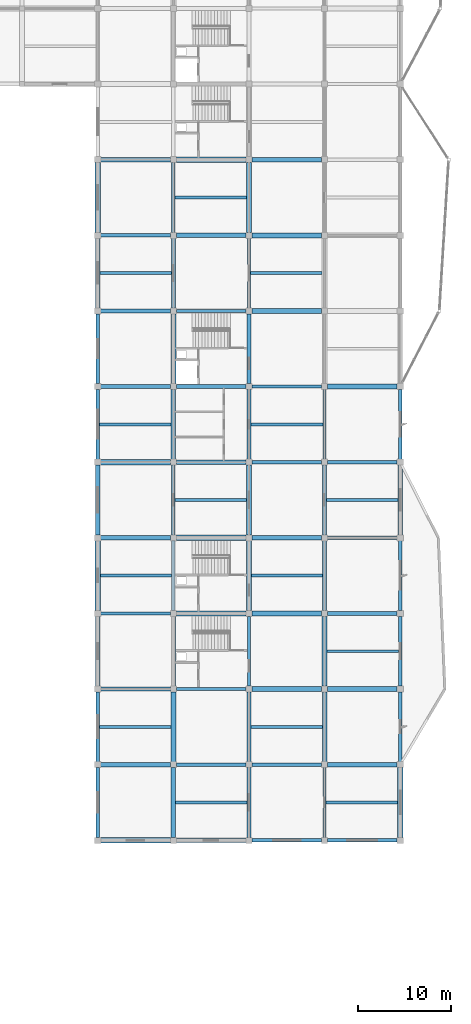
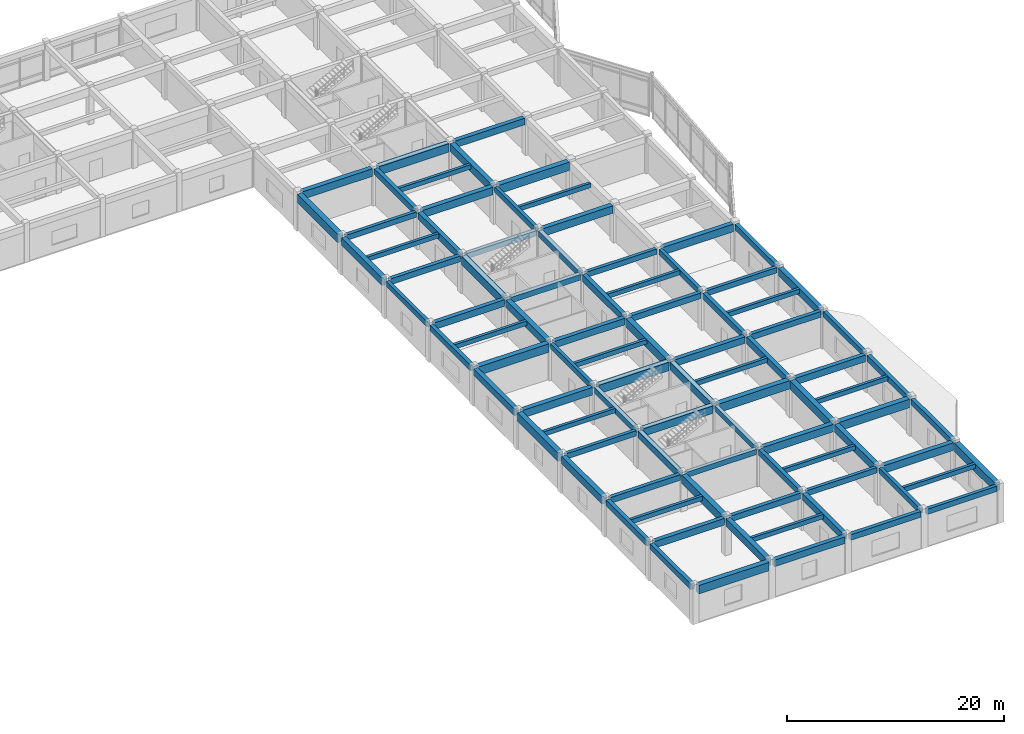
# One storey, part 16 of 42: 90 beams.
"""IFC4 building model written with IfcOpenShell, lengths in metres."""

from ifc_helpers import new_model, si_unit, direction, frame, origin, origin_2d, place, context, subcontext, project, spatial, rectangle, extrude, material, material_profile, profile_set, type_object, element, save


model = new_model("IFC4")

# Units and contexts
model_context = context("Model", 3, precision=1e-05, world=origin(), true_north=direction((0.0, 1.0)))
body_context = subcontext(model_context, "Body", "Model", "MODEL_VIEW")
ifc_project = project(units=[si_unit("LENGTHUNIT", "METRE"), si_unit("AREAUNIT", "SQUARE_METRE"), si_unit("VOLUMEUNIT", "CUBIC_METRE"), si_unit("PLANEANGLEUNIT", "RADIAN"), si_unit("MASSUNIT", "GRAM", prefix="KILO")], contexts=[model_context])

# Site, building, storey
site_placement = place(None, origin())
site = spatial("IfcSite", under=ifc_project, at=site_placement, CompositionType="ELEMENT")
building_placement = place(site_placement, origin())
building = spatial("IfcBuilding", under=site, at=building_placement, Name="Vaudrelin Polytechnic", CompositionType="ELEMENT")
storey_placement = place(building_placement, frame((0.0, 0.0, 18.530029296875)))
storey = spatial("IfcBuildingStorey", under=building, at=storey_placement, Name="L04", CompositionType="ELEMENT", Elevation=18.530029296875)

# Beams
ifc_material_1 = material(Name="Concrete 40 MPa", Category="concrete")
ifc_material_profile_1 = material_profile(ifc_material_1, rectangle(XDim=0.35009765625, YDim=0.60009765625, at=origin_2d()), Name="RC350x600")
ifc_profile_set_1 = profile_set([ifc_material_profile_1], Name="Concrete 40 MPa")
beam_type_1 = type_object("IfcBeamType", Name="BM-BM-RC3560", PredefinedType="BEAM", material=ifc_profile_set_1)
for number, where, z_axis, x_axis, name in (
    (1, (137.699951171875, 65.110107421875, 3.85986328125), (0.0, 1.0, 0.0), (-1.0, 0.0, 0.0), "L04 Y-beam 18-9"),
    (2, (145.800048828125, 48.909912109375, 3.85986328125), (0.0, 1.0, 0.0), (-1.0, 0.0, 0.0), "L04 Y-beam 19-7"),
    (3, (153.89990234375, 32.7099609375, 3.85986328125), (0.0, 1.0, 0.0), (-1.0, 0.0, 0.0), "L04 Y-beam 20-5"),
    (4, (153.89990234375, 73.2099609375, 3.85986328125), (0.0, 1.0, 0.0), (-1.0, 0.0, 0.0), "L04 Y-beam 20-10"),
    (5, (162.0, 16.510009765625, 3.85986328125), (0.0, 1.0, 0.0), (-1.0, 0.0, 0.0), "L04 Y-beam 21-3"),
    (6, (162.0, 57.010009765625, 3.85986328125), (0.0, 1.0, 0.0), (-1.0, 0.0, 0.0), "L04 Y-beam 21-8"),
    (7, (170.10009765625, 40.81005859375, 3.85986328125), (0.0, 1.0, 0.0), (-1.0, 0.0, 0.0), "L04 Y-beam 22-6"),
):
    element("IfcBeam", number, at=place(storey_placement, frame(where, z_axis=z_axis, x_axis=x_axis)), inside=storey, type_object=beam_type_1, Name=name, PredefinedType="BEAM", context=body_context, shape_type="SweptSolid", body=[
        extrude(rectangle(XDim=0.35009765625, YDim=0.60009765625, at=origin_2d()), origin(), (0.0, 0.0, 1.0), 7.47998046875),
    ])
for number, where, z_axis, x_axis, name in (
    (8, (138.02099609375, 40.5, 3.85986328125), (1.0, 0.0, 0.0), (0.0, 1.0, 0.0), "L04 X-beam 18-6"),
    (9, (138.02099609375, 81.0, 3.85986328125), (1.0, 0.0, 0.0), (0.0, 1.0, 0.0), "L04 X-beam 18-11"),
    (10, (146.12109375, 32.39990234375, 3.85986328125), (1.0, 0.0, 0.0), (0.0, 1.0, 0.0), "L04 X-beam 19-5"),
    (11, (146.12109375, 72.89990234375, 3.85986328125), (1.0, 0.0, 0.0), (0.0, 1.0, 0.0), "L04 X-beam 19-10"),
    (12, (154.220947265625, 24.300048828125, 3.85986328125), (1.0, 0.0, 0.0), (0.0, 1.0, 0.0), "L04 X-beam 20-4"),
    (13, (154.220947265625, 64.800048828125, 3.85986328125), (1.0, 0.0, 0.0), (0.0, 1.0, 0.0), "L04 X-beam 20-9"),
    (14, (162.321044921875, 16.199951171875, 3.85986328125), (1.0, 0.0, 0.0), (0.0, 1.0, 0.0), "L04 X-beam 21-3"),
    (15, (162.321044921875, 56.699951171875, 3.85986328125), (1.0, 0.0, 0.0), (0.0, 1.0, 0.0), "L04 X-beam 21-8"),
):
    element("IfcBeam", number, at=place(storey_placement, frame(where, z_axis=z_axis, x_axis=x_axis)), inside=storey, type_object=beam_type_1, Name=name, PredefinedType="BEAM", context=body_context, shape_type="SweptSolid", body=[
        extrude(rectangle(XDim=0.35009765625, YDim=0.60009765625, at=origin_2d()), origin(), (0.0, 0.0, 1.0), 7.4580078125),
    ])
ifc_material_profile_2 = material_profile(ifc_material_1, rectangle(XDim=0.39990234375, YDim=0.64990234375, at=origin_2d()), Name="RC400x650")
ifc_profile_set_2 = profile_set([ifc_material_profile_2], Name="Concrete 40 MPa")
beam_type_2 = type_object("IfcBeamType", Name="BM-BM-RC4065", PredefinedType="BEAM", material=ifc_profile_set_2)
for number, where, z_axis, x_axis, name in (
    (16, (137.699951171875, 16.510009765625, 3.8349609375), (0.0, 1.0, 0.0), (-1.0, 0.0, 0.0), "L04 Y-beam 18-3"),
    (17, (145.800048828125, 40.81005859375, 3.8349609375), (0.0, 1.0, 0.0), (-1.0, 0.0, 0.0), "L04 Y-beam 19-6"),
    (18, (145.800048828125, 81.31005859375, 3.8349609375), (0.0, 1.0, 0.0), (-1.0, 0.0, 0.0), "L04 Y-beam 19-11"),
    (19, (153.89990234375, 24.610107421875, 3.8349609375), (0.0, 1.0, 0.0), (-1.0, 0.0, 0.0), "L04 Y-beam 20-4"),
    (20, (153.89990234375, 65.110107421875, 3.8349609375), (0.0, 1.0, 0.0), (-1.0, 0.0, 0.0), "L04 Y-beam 20-9"),
    (21, (162.0, 48.909912109375, 3.8349609375), (0.0, 1.0, 0.0), (-1.0, 0.0, 0.0), "L04 Y-beam 21-7"),
    (22, (170.10009765625, 32.7099609375, 3.8349609375), (0.0, 1.0, 0.0), (-1.0, 0.0, 0.0), "L04 Y-beam 22-5"),
):
    element("IfcBeam", number, at=place(storey_placement, frame(where, z_axis=z_axis, x_axis=x_axis)), inside=storey, type_object=beam_type_2, Name=name, PredefinedType="BEAM", context=body_context, shape_type="SweptSolid", body=[
        extrude(rectangle(XDim=0.39990234375, YDim=0.64990234375, at=origin_2d()), origin(), (0.0, 0.0, 1.0), 7.47998046875),
    ])
for number, where, z_axis, x_axis, name in (
    (23, (138.02099609375, 32.39990234375, 3.8349609375), (1.0, 0.0, 0.0), (0.0, 1.0, 0.0), "L04 X-beam 18-5"),
    (24, (138.02099609375, 72.89990234375, 3.8349609375), (1.0, 0.0, 0.0), (0.0, 1.0, 0.0), "L04 X-beam 18-10"),
    (25, (146.12109375, 24.300048828125, 3.8349609375), (1.0, 0.0, 0.0), (0.0, 1.0, 0.0), "L04 X-beam 19-4"),
    (26, (146.12109375, 64.800048828125, 3.8349609375), (1.0, 0.0, 0.0), (0.0, 1.0, 0.0), "L04 X-beam 19-9"),
    (27, (154.220947265625, 56.699951171875, 3.8349609375), (1.0, 0.0, 0.0), (0.0, 1.0, 0.0), "L04 X-beam 20-8"),
    (28, (162.321044921875, 48.60009765625, 3.8349609375), (1.0, 0.0, 0.0), (0.0, 1.0, 0.0), "L04 X-beam 21-7"),
):
    element("IfcBeam", number, at=place(storey_placement, frame(where, z_axis=z_axis, x_axis=x_axis)), inside=storey, type_object=beam_type_2, Name=name, PredefinedType="BEAM", context=body_context, shape_type="SweptSolid", body=[
        extrude(rectangle(XDim=0.39990234375, YDim=0.64990234375, at=origin_2d()), origin(), (0.0, 0.0, 1.0), 7.4580078125),
    ])
ifc_material_profile_3 = material_profile(ifc_material_1, rectangle(XDim=0.449951171875, YDim=0.75, at=origin_2d()), Name="RC450x750")
ifc_profile_set_3 = profile_set([ifc_material_profile_3], Name="Concrete 40 MPa")
beam_type_3 = type_object("IfcBeamType", Name="BM-BM-RC4575", PredefinedType="BEAM", material=ifc_profile_set_3)
for number, where, z_axis, x_axis, name in (
    (29, (137.699951171875, 48.909912109375, 3.784912109375), (0.0, 1.0, 0.0), (-1.0, 0.0, 0.0), "L04 Y-beam 18-7"),
    (30, (145.800048828125, 32.7099609375, 3.784912109375), (0.0, 1.0, 0.0), (-1.0, 0.0, 0.0), "L04 Y-beam 19-5"),
    (31, (145.800048828125, 73.2099609375, 3.784912109375), (0.0, 1.0, 0.0), (-1.0, 0.0, 0.0), "L04 Y-beam 19-10"),
    (32, (153.89990234375, 16.510009765625, 3.784912109375), (0.0, 1.0, 0.0), (-1.0, 0.0, 0.0), "L04 Y-beam 20-3"),
    (33, (153.89990234375, 57.010009765625, 3.784912109375), (0.0, 1.0, 0.0), (-1.0, 0.0, 0.0), "L04 Y-beam 20-8"),
    (34, (162.0, 40.81005859375, 3.784912109375), (0.0, 1.0, 0.0), (-1.0, 0.0, 0.0), "L04 Y-beam 21-6"),
):
    element("IfcBeam", number, at=place(storey_placement, frame(where, z_axis=z_axis, x_axis=x_axis)), inside=storey, type_object=beam_type_3, Name=name, PredefinedType="BEAM", context=body_context, shape_type="SweptSolid", body=[
        extrude(rectangle(XDim=0.449951171875, YDim=0.75, at=origin_2d()), origin(), (0.0, 0.0, 1.0), 7.47998046875),
    ])
for number, where, z_axis, x_axis, name in (
    (35, (138.02099609375, 24.300048828125, 3.784912109375), (1.0, 0.0, 0.0), (0.0, 1.0, 0.0), "L04 X-beam 18-4"),
    (36, (138.02099609375, 64.800048828125, 3.784912109375), (1.0, 0.0, 0.0), (0.0, 1.0, 0.0), "L04 X-beam 18-9"),
    (37, (146.12109375, 16.199951171875, 3.784912109375), (1.0, 0.0, 0.0), (0.0, 1.0, 0.0), "L04 X-beam 19-3"),
    (38, (146.12109375, 56.699951171875, 3.784912109375), (1.0, 0.0, 0.0), (0.0, 1.0, 0.0), "L04 X-beam 19-8"),
    (39, (154.220947265625, 48.60009765625, 3.784912109375), (1.0, 0.0, 0.0), (0.0, 1.0, 0.0), "L04 X-beam 20-7"),
    (40, (154.220947265625, 89.10009765625, 3.784912109375), (1.0, 0.0, 0.0), (0.0, 1.0, 0.0), "L04 X-beam 20-12"),
    (41, (162.321044921875, 40.5, 3.784912109375), (1.0, 0.0, 0.0), (0.0, 1.0, 0.0), "L04 X-beam 21-6"),
):
    element("IfcBeam", number, at=place(storey_placement, frame(where, z_axis=z_axis, x_axis=x_axis)), inside=storey, type_object=beam_type_3, Name=name, PredefinedType="BEAM", context=body_context, shape_type="SweptSolid", body=[
        extrude(rectangle(XDim=0.449951171875, YDim=0.75, at=origin_2d()), origin(), (0.0, 0.0, 1.0), 7.4580078125),
    ])
ifc_material_profile_4 = material_profile(ifc_material_1, rectangle(XDim=0.5, YDim=0.85009765625, at=origin_2d()), Name="RC500x850")
ifc_profile_set_4 = profile_set([ifc_material_profile_4], Name="Concrete 40 MPa")
beam_type_4 = type_object("IfcBeamType", Name="BM-BM-RC5085", PredefinedType="BEAM", material=ifc_profile_set_4)
for number, where, z_axis, x_axis, name in (
    (42, (137.699951171875, 32.7099609375, 3.73486328125), (0.0, 1.0, 0.0), (-1.0, 0.0, 0.0), "L04 Y-beam 18-5"),
    (43, (137.699951171875, 73.2099609375, 3.73486328125), (0.0, 1.0, 0.0), (-1.0, 0.0, 0.0), "L04 Y-beam 18-10"),
    (44, (145.800048828125, 16.510009765625, 3.73486328125), (0.0, 1.0, 0.0), (-1.0, 0.0, 0.0), "L04 Y-beam 19-3"),
    (45, (145.800048828125, 57.010009765625, 3.73486328125), (0.0, 1.0, 0.0), (-1.0, 0.0, 0.0), "L04 Y-beam 19-8"),
    (46, (153.89990234375, 40.81005859375, 3.73486328125), (0.0, 1.0, 0.0), (-1.0, 0.0, 0.0), "L04 Y-beam 20-6"),
    (47, (153.89990234375, 81.31005859375, 3.73486328125), (0.0, 1.0, 0.0), (-1.0, 0.0, 0.0), "L04 Y-beam 20-11"),
    (48, (162.0, 24.610107421875, 3.73486328125), (0.0, 1.0, 0.0), (-1.0, 0.0, 0.0), "L04 Y-beam 21-4"),
    (49, (170.10009765625, 48.909912109375, 3.73486328125), (0.0, 1.0, 0.0), (-1.0, 0.0, 0.0), "L04 Y-beam 22-7"),
):
    element("IfcBeam", number, at=place(storey_placement, frame(where, z_axis=z_axis, x_axis=x_axis)), inside=storey, type_object=beam_type_4, Name=name, PredefinedType="BEAM", context=body_context, shape_type="SweptSolid", body=[
        extrude(rectangle(XDim=0.5, YDim=0.85009765625, at=origin_2d()), origin(), (0.0, 0.0, 1.0), 7.47998046875),
    ])
for number, where, z_axis, x_axis, name in (
    (50, (138.02099609375, 48.60009765625, 3.73486328125), (1.0, 0.0, 0.0), (0.0, 1.0, 0.0), "L04 X-beam 18-7"),
    (51, (138.02099609375, 89.10009765625, 3.73486328125), (1.0, 0.0, 0.0), (0.0, 1.0, 0.0), "L04 X-beam 18-12"),
    (52, (146.12109375, 40.5, 3.73486328125), (1.0, 0.0, 0.0), (0.0, 1.0, 0.0), "L04 X-beam 19-6"),
    (53, (146.12109375, 81.0, 3.73486328125), (1.0, 0.0, 0.0), (0.0, 1.0, 0.0), "L04 X-beam 19-11"),
    (54, (154.220947265625, 32.39990234375, 3.73486328125), (1.0, 0.0, 0.0), (0.0, 1.0, 0.0), "L04 X-beam 20-5"),
    (55, (154.220947265625, 72.89990234375, 3.73486328125), (1.0, 0.0, 0.0), (0.0, 1.0, 0.0), "L04 X-beam 20-10"),
    (56, (162.321044921875, 24.300048828125, 3.73486328125), (1.0, 0.0, 0.0), (0.0, 1.0, 0.0), "L04 X-beam 21-4"),
    (57, (162.321044921875, 64.800048828125, 3.73486328125), (1.0, 0.0, 0.0), (0.0, 1.0, 0.0), "L04 X-beam 21-9"),
):
    element("IfcBeam", number, at=place(storey_placement, frame(where, z_axis=z_axis, x_axis=x_axis)), inside=storey, type_object=beam_type_4, Name=name, PredefinedType="BEAM", context=body_context, shape_type="SweptSolid", body=[
        extrude(rectangle(XDim=0.5, YDim=0.85009765625, at=origin_2d()), origin(), (0.0, 0.0, 1.0), 7.4580078125),
    ])
ifc_material_2 = material(Name="Concrete 50 MPa", Category="concrete")
ifc_material_profile_5 = material_profile(ifc_material_2, rectangle(XDim=0.550048828125, YDim=0.949951171875, at=origin_2d()), Name="RC550x950")
ifc_profile_set_5 = profile_set([ifc_material_profile_5], Name="Concrete 50 MPa")
beam_type_5 = type_object("IfcBeamType", Name="BM-BM-RC5595", PredefinedType="BEAM", material=ifc_profile_set_5)
for number, where, z_axis, x_axis, name in (
    (58, (137.699951171875, 40.81005859375, 3.68505859375), (0.0, 1.0, 0.0), (-1.0, 0.0, 0.0), "L04 Y-beam 18-6"),
    (59, (137.699951171875, 81.31005859375, 3.68505859375), (0.0, 1.0, 0.0), (-1.0, 0.0, 0.0), "L04 Y-beam 18-11"),
    (60, (145.800048828125, 24.610107421875, 3.68505859375), (0.0, 1.0, 0.0), (-1.0, 0.0, 0.0), "L04 Y-beam 19-4"),
    (61, (145.800048828125, 65.110107421875, 3.68505859375), (0.0, 1.0, 0.0), (-1.0, 0.0, 0.0), "L04 Y-beam 19-9"),
    (62, (153.89990234375, 48.909912109375, 3.68505859375), (0.0, 1.0, 0.0), (-1.0, 0.0, 0.0), "L04 Y-beam 20-7"),
    (63, (162.0, 32.7099609375, 3.68505859375), (0.0, 1.0, 0.0), (-1.0, 0.0, 0.0), "L04 Y-beam 21-5"),
    (64, (170.10009765625, 16.510009765625, 3.68505859375), (0.0, 1.0, 0.0), (-1.0, 0.0, 0.0), "L04 Y-beam 22-3"),
):
    element("IfcBeam", number, at=place(storey_placement, frame(where, z_axis=z_axis, x_axis=x_axis)), inside=storey, type_object=beam_type_5, Name=name, PredefinedType="BEAM", context=body_context, shape_type="SweptSolid", body=[
        extrude(rectangle(XDim=0.550048828125, YDim=0.949951171875, at=origin_2d()), origin(), (0.0, 0.0, 1.0), 7.47998046875),
    ])
for number, where, z_axis, x_axis, name in (
    (65, (138.02099609375, 16.199951171875, 3.68505859375), (1.0, 0.0, 0.0), (0.0, 1.0, 0.0), "L04 X-beam 18-3"),
    (66, (138.02099609375, 56.699951171875, 3.68505859375), (1.0, 0.0, 0.0), (0.0, 1.0, 0.0), "L04 X-beam 18-8"),
    (67, (146.12109375, 48.60009765625, 3.68505859375), (1.0, 0.0, 0.0), (0.0, 1.0, 0.0), "L04 X-beam 19-7"),
    (68, (146.12109375, 89.10009765625, 3.68505859375), (1.0, 0.0, 0.0), (0.0, 1.0, 0.0), "L04 X-beam 19-12"),
    (69, (154.220947265625, 40.5, 3.68505859375), (1.0, 0.0, 0.0), (0.0, 1.0, 0.0), "L04 X-beam 20-6"),
    (70, (154.220947265625, 81.0, 3.68505859375), (1.0, 0.0, 0.0), (0.0, 1.0, 0.0), "L04 X-beam 20-11"),
    (71, (162.321044921875, 32.39990234375, 3.68505859375), (1.0, 0.0, 0.0), (0.0, 1.0, 0.0), "L04 X-beam 21-5"),
):
    element("IfcBeam", number, at=place(storey_placement, frame(where, z_axis=z_axis, x_axis=x_axis)), inside=storey, type_object=beam_type_5, Name=name, PredefinedType="BEAM", context=body_context, shape_type="SweptSolid", body=[
        extrude(rectangle(XDim=0.550048828125, YDim=0.949951171875, at=origin_2d()), origin(), (0.0, 0.0, 1.0), 7.4580078125),
    ])
ifc_material_profile_6 = material_profile(ifc_material_1, rectangle(XDim=0.300048828125, YDim=0.5, at=origin_2d()), Name="RC300x500")
ifc_profile_set_6 = profile_set([ifc_material_profile_6], Name="Concrete 40 MPa")
beam_type_6 = type_object("IfcBeamType", Name="BM-JS-RC3050", PredefinedType="JOIST", material=ifc_profile_set_6)
for number, where, z_axis, x_axis, name in (
    (72, (137.89599609375, 28.35009765625, 3.909912109375), (1.0, 0.0, 0.0), (0.0, 1.0, 0.0), "L04 floor joist 18-4"),
    (73, (137.970947265625, 44.550048828125, 3.909912109375), (1.0, 0.0, 0.0), (0.0, 1.0, 0.0), "L04 floor joist 18-6"),
):
    element("IfcBeam", number, at=place(storey_placement, frame(where, z_axis=z_axis, x_axis=x_axis)), inside=storey, type_object=beam_type_6, Name=name, PredefinedType="JOIST", context=body_context, shape_type="SweptSolid", body=[
        extrude(rectangle(XDim=0.300048828125, YDim=0.5, at=origin_2d()), origin(), (0.0, 0.0, 1.0), 7.633056640625),
    ])
beam_1_placement = place(storey_placement, frame((137.89599609375, 60.75, 3.909912109375), z_axis=(1.0, 0.0, 0.0), x_axis=(0.0, 1.0, 0.0)))
element("IfcBeam", 74, at=beam_1_placement, inside=storey, type_object=beam_type_6, Name="L04 floor joist 18-8", PredefinedType="JOIST", context=body_context, shape_type="SweptSolid", body=[
    extrude(rectangle(XDim=0.300048828125, YDim=0.5, at=origin_2d()), origin(), (0.0, 0.0, 1.0), 7.657958984375),
])
for number, where, z_axis, x_axis, name in (
    (75, (137.946044921875, 76.949951171875, 3.909912109375), (1.0, 0.0, 0.0), (0.0, 1.0, 0.0), "L04 floor joist 18-10"),
    (76, (146.0458984375, 20.25, 3.909912109375), (1.0, 0.0, 0.0), (0.0, 1.0, 0.0), "L04 floor joist 19-3"),
):
    element("IfcBeam", number, at=place(storey_placement, frame(where, z_axis=z_axis, x_axis=x_axis)), inside=storey, type_object=beam_type_6, Name=name, PredefinedType="JOIST", context=body_context, shape_type="SweptSolid", body=[
        extrude(rectangle(XDim=0.300048828125, YDim=0.5, at=origin_2d()), origin(), (0.0, 0.0, 1.0), 7.633056640625),
    ])
for number, where, z_axis, x_axis, name in (
    (77, (145.970947265625, 52.64990234375, 3.909912109375), (1.0, 0.0, 0.0), (0.0, 1.0, 0.0), "L04 floor joist 19-7"),
    (78, (145.99609375, 85.050048828125, 3.909912109375), (1.0, 0.0, 0.0), (0.0, 1.0, 0.0), "L04 floor joist 19-11"),
    (79, (154.095947265625, 28.35009765625, 3.909912109375), (1.0, 0.0, 0.0), (0.0, 1.0, 0.0), "L04 floor joist 20-4"),
):
    element("IfcBeam", number, at=place(storey_placement, frame(where, z_axis=z_axis, x_axis=x_axis)), inside=storey, type_object=beam_type_6, Name=name, PredefinedType="JOIST", context=body_context, shape_type="SweptSolid", body=[
        extrude(rectangle(XDim=0.300048828125, YDim=0.5, at=origin_2d()), origin(), (0.0, 0.0, 1.0), 7.657958984375),
    ])
beam_2_placement = place(storey_placement, frame((154.14599609375, 44.550048828125, 3.909912109375), z_axis=(1.0, 0.0, 0.0), x_axis=(0.0, 1.0, 0.0)))
element("IfcBeam", 80, at=beam_2_placement, inside=storey, type_object=beam_type_6, Name="L04 floor joist 20-6", PredefinedType="JOIST", context=body_context, shape_type="SweptSolid", body=[
    extrude(rectangle(XDim=0.300048828125, YDim=0.5, at=origin_2d()), origin(), (0.0, 0.0, 1.0), 7.633056640625),
])
beam_3_placement = place(storey_placement, frame((154.12109375, 60.75, 3.909912109375), z_axis=(1.0, 0.0, 0.0), x_axis=(0.0, 1.0, 0.0)))
element("IfcBeam", 81, at=beam_3_placement, inside=storey, type_object=beam_type_6, Name="L04 floor joist 20-8", PredefinedType="JOIST", context=body_context, shape_type="SweptSolid", body=[
    extrude(rectangle(XDim=0.300048828125, YDim=0.5, at=origin_2d()), origin(), (0.0, 0.0, 1.0), 7.7080078125),
])
beam_4_placement = place(storey_placement, frame((154.071044921875, 76.949951171875, 3.909912109375), z_axis=(1.0, 0.0, 0.0), x_axis=(0.0, 1.0, 0.0)))
element("IfcBeam", 82, at=beam_4_placement, inside=storey, type_object=beam_type_6, Name="L04 floor joist 20-10", PredefinedType="JOIST", context=body_context, shape_type="SweptSolid", body=[
    extrude(rectangle(XDim=0.300048828125, YDim=0.5, at=origin_2d()), origin(), (0.0, 0.0, 1.0), 7.657958984375),
])
beam_5_placement = place(storey_placement, frame((162.1708984375, 20.25, 3.909912109375), z_axis=(1.0, 0.0, 0.0), x_axis=(0.0, 1.0, 0.0)))
element("IfcBeam", 83, at=beam_5_placement, inside=storey, type_object=beam_type_6, Name="L04 floor joist 21-3", PredefinedType="JOIST", context=body_context, shape_type="SweptSolid", body=[
    extrude(rectangle(XDim=0.300048828125, YDim=0.5, at=origin_2d()), origin(), (0.0, 0.0, 1.0), 7.658203125),
])
beam_6_placement = place(storey_placement, frame((162.27099609375, 36.449951171875, 3.909912109375), z_axis=(1.0, 0.0, 0.0), x_axis=(0.0, 1.0, 0.0)))
element("IfcBeam", 84, at=beam_6_placement, inside=storey, type_object=beam_type_6, Name="L04 floor joist 21-5", PredefinedType="JOIST", context=body_context, shape_type="SweptSolid", body=[
    extrude(rectangle(XDim=0.300048828125, YDim=0.5, at=origin_2d()), origin(), (0.0, 0.0, 1.0), 7.633056640625),
])
beam_7_placement = place(storey_placement, frame((162.196044921875, 52.64990234375, 3.909912109375), z_axis=(1.0, 0.0, 0.0), x_axis=(0.0, 1.0, 0.0)))
element("IfcBeam", 85, at=beam_7_placement, inside=storey, type_object=beam_type_6, Name="L04 floor joist 21-7", PredefinedType="JOIST", context=body_context, shape_type="SweptSolid", body=[
    extrude(rectangle(XDim=0.300048828125, YDim=0.5, at=origin_2d()), origin(), (0.0, 0.0, 1.0), 7.657958984375),
])
ifc_material_profile_7 = material_profile(ifc_material_1, rectangle(XDim=0.39990234375, YDim=0.64990234375, at=origin_2d()), Name="RC400x650")
ifc_profile_set_7 = profile_set([ifc_material_profile_7], Name="Concrete 40 MPa")
beam_type_7 = type_object("IfcBeamType", Name="BM-SP-RC4065", PredefinedType="SPANDREL", material=ifc_profile_set_7)
for number, where, z_axis, x_axis, name in (
    (86, (137.699951171875, 24.610107421875, 3.8349609375), (0.0, 1.0, 0.0), (-1.0, 0.0, 0.0), "L04 Y-beam 18-4"),
    (87, (137.699951171875, 57.010009765625, 3.8349609375), (0.0, 1.0, 0.0), (-1.0, 0.0, 0.0), "L04 Y-beam 18-8"),
    (88, (170.10009765625, 24.610107421875, 3.8349609375), (0.0, 1.0, 0.0), (-1.0, 0.0, 0.0), "L04 Y-beam 22-4"),
    (89, (170.10009765625, 57.010009765625, 3.8349609375), (0.0, 1.0, 0.0), (-1.0, 0.0, 0.0), "L04 Y-beam 22-8"),
):
    element("IfcBeam", number, at=place(storey_placement, frame(where, z_axis=z_axis, x_axis=x_axis)), inside=storey, type_object=beam_type_7, Name=name, PredefinedType="SPANDREL", context=body_context, shape_type="SweptSolid", body=[
        extrude(rectangle(XDim=0.39990234375, YDim=0.64990234375, at=origin_2d()), origin(), (0.0, 0.0, 1.0), 7.47998046875),
    ])
beam_8_placement = place(storey_placement, frame((154.220947265625, 16.199951171875, 3.8349609375), z_axis=(1.0, 0.0, 0.0), x_axis=(0.0, 1.0, 0.0)))
element("IfcBeam", 90, at=beam_8_placement, inside=storey, type_object=beam_type_7, Name="L04 X-beam 20-3", PredefinedType="SPANDREL", context=body_context, shape_type="SweptSolid", body=[
    extrude(rectangle(XDim=0.39990234375, YDim=0.64990234375, at=origin_2d()), origin(), (0.0, 0.0, 1.0), 7.4580078125),
])

save(model, "model.ifc")
